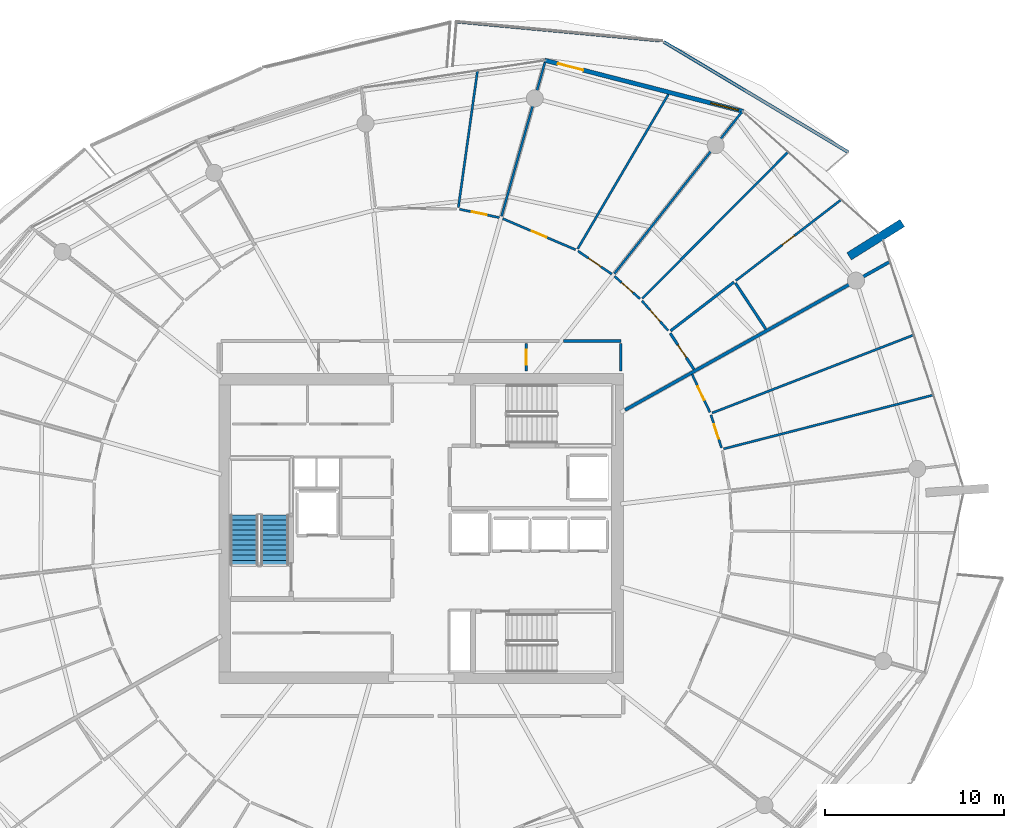
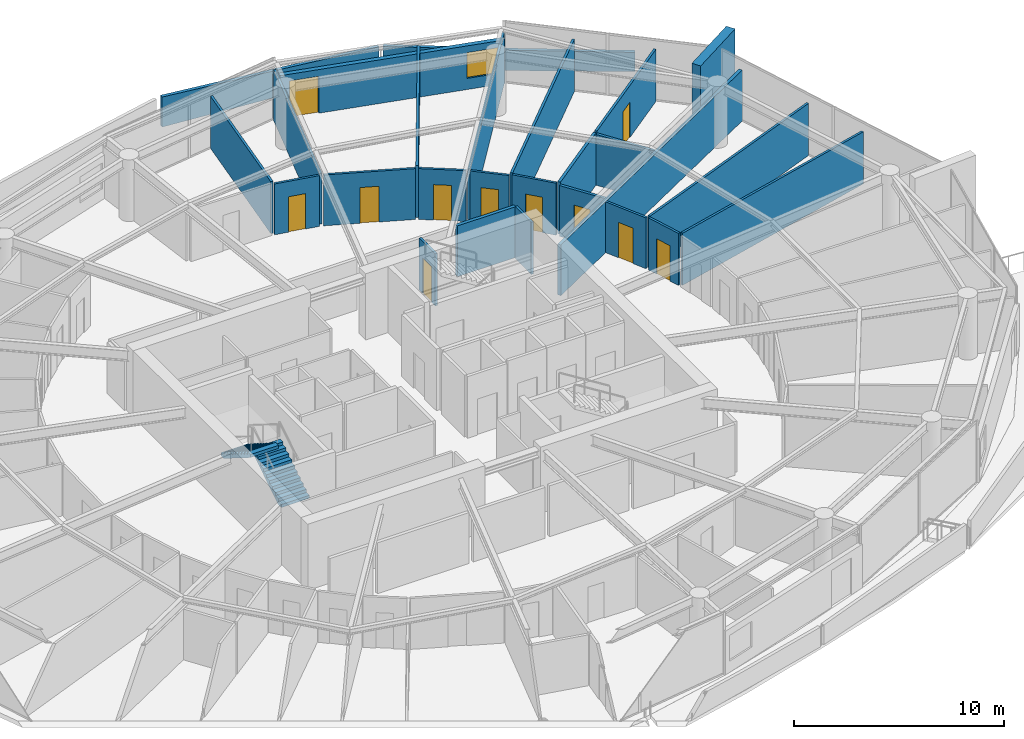
# One storey, part 23 of 31: 26 walls, 11 doors, 2 stair flights, 1 window, 12 openings, 1 element without a shape of its own.
"""IFC4 building model written with IfcOpenShell, lengths in metres."""

from ifc_helpers import new_model, si_unit, direction, frame, frame_2d, origin, place, context, subcontext, project, spatial, polyline, rectangle, outline, extrude, material, layer, layer_set, type_object, element, fill, aggregate, save


model = new_model("IFC4")

# Units and contexts
model_context = context("Model", 3, precision=1e-05, world=origin(), true_north=direction((0.0, 1.0)))
body_context = subcontext(model_context, "Body", "Model", "MODEL_VIEW")
ifc_project = project(units=[si_unit("LENGTHUNIT", "METRE"), si_unit("AREAUNIT", "SQUARE_METRE"), si_unit("VOLUMEUNIT", "CUBIC_METRE"), si_unit("PLANEANGLEUNIT", "RADIAN"), si_unit("MASSUNIT", "GRAM", prefix="KILO")], contexts=[model_context])

# Site, building, storey
site_placement = place(None, origin())
site = spatial("IfcSite", under=ifc_project, at=site_placement, CompositionType="ELEMENT")
building_placement = place(site_placement, origin())
building = spatial("IfcBuilding", under=site, at=building_placement, Name="Kazma Halo Residences", CompositionType="ELEMENT")
storey_placement = place(building_placement, frame((0.0, 0.0, 248.25)))
storey = spatial("IfcBuildingStorey", under=building, at=storey_placement, Name="L62", CompositionType="ELEMENT", Elevation=248.25)

# Walls
ifc_material_1 = material(Name="White Concrete C50/60 Balustrade", Category="concrete")
ifc_layer_1 = layer(ifc_material_1, 0.179931640625)
ifc_layer_set_1 = layer_set([ifc_layer_1], Name="White Concrete C50/60 Balustrade")
wall_type_1 = type_object("IfcWallType", Name="WL-BAL-WAVE-180", PredefinedType="PARAPET", material=ifc_layer_set_1)
wall_1_placement = place(storey_placement, frame((72.251220703125, 62.969970703125, 0.0), z_axis=(0.0, 0.0, 1.0), x_axis=(-0.858273121585, 0.513193188541, 0.0)))
element("IfcWall", 1, at=wall_1_placement, inside=storey, type_object=wall_type_1, Name="L62 white wave balustrade wall NE.1", PredefinedType="PARAPET", context=body_context, shape_type="SweptSolid", body=[
    extrude(outline(polyline([(0.0, 0.0), (11.99560546875, 0.0), (11.995361328125, 1.347900390625), (5.997802734375, 1.181884765625), (0.0, 1.1201171875), (0.0, 0.0)])), frame((0.0, 0.08984375, 0.0), z_axis=(0.0, -1.0, 0.0), x_axis=(1.0, 0.0, 0.0)), (0.0, 0.0, 1.0), 0.179931640625),
])
wall_2_placement = place(storey_placement, frame((61.733154296875, 69.19873046875, 0.0), z_axis=(0.0, 0.0, 1.0), x_axis=(-0.995673621648, 0.092919530532, 0.0)))
element("IfcWall", 2, at=wall_2_placement, inside=storey, type_object=wall_type_1, Name="L62 white wave balustrade wall NE.2", PredefinedType="PARAPET", context=body_context, shape_type="SweptSolid", body=[
    extrude(outline(polyline([(0.0, 0.0), (11.384765625, 0.0), (11.384765625, 1.7470703125), (5.6923828125, 1.56201171875), (0.0, 1.347900390625), (0.0, 0.0)])), frame((0.0, 0.08984375, 0.0), z_axis=(0.0, -1.0, 0.0), x_axis=(1.0, 0.0, 0.0)), (0.0, 0.0, 1.0), 0.179931640625),
])
ifc_material_2 = material(Name="Pale Concrete C60/75", Category="concrete")
ifc_layer_2 = layer(ifc_material_2, 0.47998046875)
ifc_layer_set_2 = layer_set([ifc_layer_2], Name="Pale Concrete C60/75")
wall_type_2 = type_object("IfcWallType", Name="WL-BLADE-480", PredefinedType="SOLIDWALL", material=ifc_layer_set_2)
wall_3_placement = place(storey_placement, frame((72.281494140625, 57.172607421875, 0.0), z_axis=(0.0, 0.0, 1.0), x_axis=(0.848033572426, 0.529942506352, 0.0)))
element("IfcWall", 3, at=wall_3_placement, inside=storey, type_object=wall_type_2, Name="L62 pale concrete structural blade fin wall BW-01", PredefinedType="SOLIDWALL", context=body_context, shape_type="SweptSolid", body=[
    extrude(rectangle(XDim=3.5, YDim=0.47998046875, at=frame_2d((1.75, 0.0))), origin(), (0.0, 0.0, 1.0), 3.85009765625),
])
ifc_material_3 = material(Name="Acoustic Twin-Stud Gypsum")
ifc_layer_3 = layer(ifc_material_3, 0.179931640625)
ifc_layer_set_3 = layer_set([ifc_layer_3], Name="Acoustic Twin-Stud Gypsum")
wall_type_3 = type_object("IfcWallType", Name="WL-DEM-180", PredefinedType="PARTITIONING", material=ifc_layer_set_3)
wall_4_placement = place(storey_placement, frame((59.7958984375, 48.60595703125, 0.0), z_axis=(0.0, 0.0, 1.0), x_axis=(0.872493213488, 0.488626229767, 0.0)))
element("IfcWall", 4, at=wall_4_placement, inside=storey, type_object=wall_type_3, Name="L62 apartment demising radial wall 00", PredefinedType="PARTITIONING", context=body_context, shape_type="SweptSolid", body=[
    extrude(rectangle(XDim=16.91015625, YDim=0.179931640625, at=frame_2d((8.455078125, 0.0))), origin(), (0.0, 0.0, 1.0), 2.95703125),
])
wall_5_placement = place(storey_placement, frame((59.580078125, 52.449951171875, 0.0), z_axis=(0.0, 0.0, 1.0), x_axis=(-1.0, 0.0, 0.0)))
element("IfcWall", 5, at=wall_5_placement, inside=storey, type_object=wall_type_3, Name="L62 Apartment 1 inner wall 0", PredefinedType="PARTITIONING", context=body_context, shape_type="SweptSolid", body=[
    extrude(rectangle(XDim=3.221923828125, YDim=0.179931640625, at=frame_2d((1.61083984375, 0.0))), origin(), (0.0, 0.0, 1.0), 2.95703125),
])

# Wall, openings, door, window
ifc_material_4 = material(Name="Insulated Pale-Metal Composite Wall")
ifc_layer_4 = layer(ifc_material_4, 0.239990234375)
ifc_layer_set_4 = layer_set([ifc_layer_4], Name="Insulated Pale-Metal Composite Wall")
wall_type_4 = type_object("IfcWallType", Name="WL-EXT-HOST-240", PredefinedType="SOLIDWALL", material=ifc_layer_set_4)
wall_6_placement = place(storey_placement, frame((66.386474609375, 65.2490234375, 0.0), z_axis=(0.0, 0.0, 1.0), x_axis=(-0.968343758421, 0.249620442927, 0.0)))
wall_6 = element("IfcWall", 6, at=wall_6_placement, inside=storey, type_object=wall_type_4, Name="L62 exterior terrace-access wall B02", PredefinedType="SOLIDWALL", context=body_context, shape_type="SweptSolid", body=[
    extrude(rectangle(XDim=11.438232421875, YDim=0.239990234375, at=frame_2d((5.71923828125, 0.0))), origin(), (0.0, 0.0, 1.0), 2.5400390625),
])
opening_1_placement = place(wall_6_placement, frame((9.21826171875, 0.0, 0.0)))
opening_1 = element("IfcOpeningElement", 7, at=opening_1_placement, cuts=wall_6, Name="Opening DTR-1600", PredefinedType="OPENING", context=body_context, shape_type="SweptSolid", body=[
    extrude(rectangle(XDim=1.449951171875, YDim=2.14990234375, at=frame_2d((0.72509765625, 1.074951171875))), frame((0.0, 0.1298828125, 0.0), z_axis=(0.0, -1.0, 0.0), x_axis=(1.0, 0.0, 0.0)), (0.0, 0.0, 1.0), 0.260009765625),
])
opening_2_placement = place(wall_6_placement, frame((0.280029296875, 0.0, 0.64990234375)))
opening_2 = element("IfcOpeningElement", 8, at=opening_2_placement, cuts=wall_6, Name="Opening W-1800", PredefinedType="OPENING", context=body_context, shape_type="SweptSolid", body=[
    extrude(rectangle(XDim=1.60009765625, YDim=1.5, at=frame_2d((0.800048828125, 0.75))), frame((0.0, 0.1298828125, 0.0), z_axis=(0.0, -1.0, 0.0), x_axis=(1.0, 0.0, 0.0)), (0.0, 0.0, 1.0), 0.260009765625),
])
ifc_material_5 = material(Name="Aluminium AW-6063 T6 Double-Glazed Terrace Door", Category="aluminium")
door_type_1 = type_object("IfcDoorType", Name="DR-EXT-TERR-1600", OperationType="NOTDEFINED", PredefinedType="DOOR", material=ifc_material_5)
door_1_placement = place(opening_1_placement, origin())
door_1 = element("IfcDoor", 9, at=door_1_placement, inside=storey, type_object=door_type_1, Name="L62 B02 balcony terrace door", OperationType="DOUBLE_DOOR_SLIDING", OverallHeight=2.14990234375, OverallWidth=1.449951171875, PredefinedType="DOOR", context=body_context, shape_type="SweptSolid", body=[
    extrude(rectangle(XDim=1.449951171875, YDim=2.14990234375, at=frame_2d((0.72509765625, 1.074951171875))), frame((0.0, 0.02490234375, 0.0), z_axis=(0.0, -1.0, 0.0), x_axis=(1.0, 0.0, 0.0)), (0.0, 0.0, 1.0), 0.050048828125),
])
fill(opening_1, door_1)
ifc_material_6 = material(Name="Clear Triple-Silver Low-E Glass in Aluminium AW-6063 T6 Frame", Category="aluminium")
window_type = type_object("IfcWindowType", Name="WIN-RES-1800", PartitioningType="DOUBLE_PANEL_VERTICAL", PredefinedType="WINDOW", material=ifc_material_6)
window_placement = place(opening_2_placement, origin())
window = element("IfcWindow", 10, at=window_placement, inside=storey, type_object=window_type, Name="L62 B02 apartment window", OverallHeight=1.5, OverallWidth=1.60009765625, PartitioningType="SINGLE_PANEL", PredefinedType="WINDOW", context=body_context, shape_type="SweptSolid", body=[
    extrude(rectangle(XDim=1.60009765625, YDim=1.5, at=frame_2d((0.800048828125, 0.75))), frame((0.0, 0.030029296875, 0.0), z_axis=(0.0, -1.0, 0.0), x_axis=(1.0, 0.0, 0.0)), (0.0, 0.0, 1.0), 0.06005859375),
])
fill(opening_2, window)

# Wall
ifc_material_7 = material(Name="Gypsum Plasterboard Partition")
ifc_layer_5 = layer(ifc_material_7, 0.125)
ifc_layer_set_5 = layer_set([ifc_layer_5], Name="Gypsum Plasterboard Partition")
wall_type_5 = type_object("IfcWallType", Name="WL-PART-125", PredefinedType="PARTITIONING", material=ifc_layer_set_5)
wall_7_placement = place(storey_placement, frame((59.56005859375, 50.77001953125, 0.0), z_axis=(0.0, 0.0, 1.0), x_axis=(0.0, 1.0, 0.0)))
element("IfcWall", 11, at=wall_7_placement, inside=storey, type_object=wall_type_5, Name="L62 east cupboard end wall", PredefinedType="PARTITIONING", context=body_context, shape_type="SweptSolid", body=[
    extrude(rectangle(XDim=1.5400390625, YDim=0.125, at=frame_2d((0.77001953125, 0.0))), origin(), (0.0, 0.0, 1.0), 3.030029296875),
])

# Wall, opening, door
wall_8_placement = place(storey_placement, frame((54.2900390625, 50.7900390625, 0.0), z_axis=(0.0, 0.0, 1.0), x_axis=(0.0, 1.0, 0.0)))
wall_8 = element("IfcWall", 12, at=wall_8_placement, inside=storey, type_object=wall_type_5, Name="L62 floor metering cupboard door wall", PredefinedType="PARTITIONING", context=body_context, shape_type="SweptSolid", body=[
    extrude(rectangle(XDim=1.52001953125, YDim=0.125, at=frame_2d((0.760009765625, 0.0))), origin(), (0.0, 0.0, 1.0), 3.030029296875),
])
opening_3_placement = place(wall_8_placement, frame((0.3349609375, 0.0, 0.0)))
opening_3 = element("IfcOpeningElement", 13, at=opening_3_placement, cuts=wall_8, Name="Opening DS-850", PredefinedType="OPENING", context=body_context, shape_type="SweptSolid", body=[
    extrude(rectangle(XDim=0.85009765625, YDim=2.06005859375, at=frame_2d((0.425048828125, 1.030029296875))), frame((0.0, 0.072509765625, 0.0), z_axis=(0.0, -1.0, 0.0), x_axis=(1.0, 0.0, 0.0)), (0.0, 0.0, 1.0), 0.14501953125),
])
ifc_material_8 = material(Name="Painted Steel Access Leaf", Category="steel")
door_type_2 = type_object("IfcDoorType", Name="DR-SVC-850", OperationType="NOTDEFINED", PredefinedType="DOOR", material=ifc_material_8)
door_2_placement = place(opening_3_placement, origin())
door_2 = element("IfcDoor", 14, at=door_2_placement, inside=storey, type_object=door_type_2, Name="L62 floor cupboard door", OperationType="SINGLE_SWING_RIGHT", OverallHeight=2.06005859375, OverallWidth=0.85009765625, PredefinedType="DOOR", context=body_context, shape_type="SweptSolid", body=[
    extrude(rectangle(XDim=0.85009765625, YDim=2.06005859375, at=frame_2d((0.425048828125, 1.030029296875))), frame((0.0, 0.02490234375, 0.0), z_axis=(0.0, -1.0, 0.0), x_axis=(1.0, 0.0, 0.0)), (0.0, 0.0, 1.0), 0.050048828125),
])
fill(opening_3, door_2)

wall_9_placement = place(storey_placement, frame((65.97021484375, 55.815185546875, 0.0), z_axis=(0.0, 0.0, 1.0), x_axis=(0.792798660545, 0.609483620647, 0.0)))
wall_9 = element("IfcWall", 15, at=wall_9_placement, inside=storey, type_object=wall_type_5, Name="L62 Apartment 1 Household Store Room partition wall", PredefinedType="PARTITIONING", context=body_context, shape_type="SweptSolid", body=[
    extrude(rectangle(XDim=7.376953125, YDim=0.125, at=frame_2d((3.6884765625, 0.0))), origin(), (0.0, 0.0, 1.0), 3.030029296875),
])
opening_4_placement = place(wall_9_placement, frame((3.263427734375, 0.0, 0.0)))
opening_4 = element("IfcOpeningElement", 16, at=opening_4_placement, cuts=wall_9, Name="Opening DB-900", PredefinedType="OPENING", context=body_context, shape_type="SweptSolid", body=[
    extrude(rectangle(XDim=0.85009765625, YDim=2.06005859375, at=frame_2d((0.425048828125, 1.030029296875))), frame((0.0, 0.072509765625, 0.0), z_axis=(0.0, -1.0, 0.0), x_axis=(1.0, 0.0, 0.0)), (0.0, 0.0, 1.0), 0.14501953125),
])
ifc_material_9 = material(Name="Moisture-Sealed Timber Leaf", Category="wood")
door_type_3 = type_object("IfcDoorType", Name="DR-BTH-900", OperationType="NOTDEFINED", PredefinedType="DOOR", material=ifc_material_9)
door_3_placement = place(opening_4_placement, origin())
door_3 = element("IfcDoor", 17, at=door_3_placement, inside=storey, type_object=door_type_3, Name="L62 Apartment 1 Household Store Room door", OperationType="SINGLE_SWING_RIGHT", OverallHeight=2.06005859375, OverallWidth=0.85009765625, PredefinedType="DOOR", context=body_context, shape_type="SweptSolid", body=[
    extrude(rectangle(XDim=0.85009765625, YDim=2.06005859375, at=frame_2d((0.425048828125, 1.030029296875))), frame((0.0, 0.02490234375, 0.0), z_axis=(0.0, -1.0, 0.0), x_axis=(1.0, 0.0, 0.0)), (0.0, 0.0, 1.0), 0.050048828125),
])
fill(opening_4, door_3)

# Wall
wall_10_placement = place(storey_placement, frame((60.749267578125, 54.8154296875, 0.0), z_axis=(0.0, 0.0, 1.0), x_axis=(0.705267705861, 0.708941085753, 0.0)))
element("IfcWall", 18, at=wall_10_placement, inside=storey, type_object=wall_type_5, Name="L62 Apartment 1 suite divider 0", PredefinedType="PARTITIONING", context=body_context, shape_type="SweptSolid", body=[
    extrude(rectangle(XDim=11.498046875, YDim=0.125, at=frame_2d((5.7490234375, 0.0))), origin(), (0.0, 0.0, 1.0), 3.030029296875),
])

# Wall, opening, door
wall_11_placement = place(storey_placement, frame((62.200439453125, 53.030517578125, 0.0), z_axis=(0.0, 0.0, 1.0), x_axis=(-0.660650282497, 0.750693815238, 0.0)))
wall_11 = element("IfcWall", 19, at=wall_11_placement, inside=storey, type_object=wall_type_5, Name="L62 Apartment 1 Gourmet Kitchen hall wall", PredefinedType="PARTITIONING", context=body_context, shape_type="SweptSolid", body=[
    extrude(rectangle(XDim=2.21240234375, YDim=0.125, at=frame_2d((1.106201171875, 0.0))), origin(), (0.0, 0.0, 1.0), 3.030029296875),
])
opening_5_placement = place(wall_11_placement, frame((0.681396484375, 0.0, 0.0)))
opening_5 = element("IfcOpeningElement", 20, at=opening_5_placement, cuts=wall_11, Name="Opening DB-900", PredefinedType="OPENING", context=body_context, shape_type="SweptSolid", body=[
    extrude(rectangle(XDim=0.85009765625, YDim=2.06005859375, at=frame_2d((0.425048828125, 1.030029296875))), frame((0.0, 0.072509765625, 0.0), z_axis=(0.0, -1.0, 0.0), x_axis=(1.0, 0.0, 0.0)), (0.0, 0.0, 1.0), 0.14501953125),
])
door_4_placement = place(opening_5_placement, origin())
door_4 = element("IfcDoor", 21, at=door_4_placement, inside=storey, type_object=door_type_3, Name="L62 Apartment 1 Gourmet Kitchen door", OperationType="SINGLE_SWING_LEFT", OverallHeight=2.06005859375, OverallWidth=0.85009765625, PredefinedType="DOOR", context=body_context, shape_type="SweptSolid", body=[
    extrude(rectangle(XDim=0.85009765625, YDim=2.06005859375, at=frame_2d((0.425048828125, 1.030029296875))), frame((0.0, 0.02490234375, 0.0), z_axis=(0.0, -1.0, 0.0), x_axis=(1.0, 0.0, 0.0)), (0.0, 0.0, 1.0), 0.050048828125),
])
fill(opening_5, door_4)

wall_12_placement = place(storey_placement, frame((60.6259765625, 54.8046875, 0.0), z_axis=(0.0, 0.0, 1.0), x_axis=(-0.748419746602, 0.663225363581, 0.0)))
wall_12 = element("IfcWall", 22, at=wall_12_placement, inside=storey, type_object=wall_type_5, Name="L62 Apartment 1 Primary Bedroom hall wall", PredefinedType="PARTITIONING", context=body_context, shape_type="SweptSolid", body=[
    extrude(rectangle(XDim=1.891357421875, YDim=0.125, at=frame_2d((0.94580078125, 0.0))), origin(), (0.0, 0.0, 1.0), 2.95703125),
])
opening_6_placement = place(wall_12_placement, frame((0.520751953125, 0.0, 0.0)))
opening_6 = element("IfcOpeningElement", 23, at=opening_6_placement, cuts=wall_12, Name="Opening DB-900", PredefinedType="OPENING", context=body_context, shape_type="SweptSolid", body=[
    extrude(rectangle(XDim=0.85009765625, YDim=2.06005859375, at=frame_2d((0.425048828125, 1.030029296875))), frame((0.0, 0.072509765625, 0.0), z_axis=(0.0, -1.0, 0.0), x_axis=(1.0, 0.0, 0.0)), (0.0, 0.0, 1.0), 0.14501953125),
])
door_5_placement = place(opening_6_placement, origin())
door_5 = element("IfcDoor", 24, at=door_5_placement, inside=storey, type_object=door_type_3, Name="L62 Apartment 1 Primary Bedroom door", OperationType="SINGLE_SWING_RIGHT", OverallHeight=2.06005859375, OverallWidth=0.85009765625, PredefinedType="DOOR", context=body_context, shape_type="SweptSolid", body=[
    extrude(rectangle(XDim=0.85009765625, YDim=2.06005859375, at=frame_2d((0.425048828125, 1.030029296875))), frame((0.0, 0.02490234375, 0.0), z_axis=(0.0, -1.0, 0.0), x_axis=(1.0, 0.0, 0.0)), (0.0, 0.0, 1.0), 0.050048828125),
])
fill(opening_6, door_5)

# Walls
wall_13_placement = place(storey_placement, frame((59.197509765625, 56.2041015625, 0.0), z_axis=(0.0, 0.0, 1.0), x_axis=(0.619101452742, 0.785311015593, 0.0)))
element("IfcWall", 25, at=wall_13_placement, inside=storey, type_object=wall_type_5, Name="L62 Apartment 1 radial partition 1", PredefinedType="PARTITIONING", context=body_context, shape_type="SweptSolid", body=[
    extrude(rectangle(XDim=11.508544921875, YDim=0.125, at=frame_2d((5.75439453125, 0.0))), origin(), (0.0, 0.0, 1.0), 2.95703125),
])
wall_14_placement = place(storey_placement, frame((57.153076171875, 57.58837890625, 0.0), z_axis=(0.0, 0.0, 1.0), x_axis=(0.506323477253, 0.862343630105, 0.0)))
element("IfcWall", 26, at=wall_14_placement, inside=storey, type_object=wall_type_5, Name="L62 Apartment 1 mid-bay wall 1", PredefinedType="PARTITIONING", context=body_context, shape_type="SweptSolid", body=[
    extrude(rectangle(XDim=9.988037109375, YDim=0.125, at=frame_2d((4.994140625, 0.0))), origin(), (0.0, 0.0, 1.0), 3.030029296875),
])

# Wall, opening, door
wall_15_placement = place(storey_placement, frame((59.052978515625, 56.181884765625, 0.0), z_axis=(0.0, 0.0, 1.0), x_axis=(-0.825709590898, 0.56409544538, 0.0)))
wall_15 = element("IfcWall", 27, at=wall_15_placement, inside=storey, type_object=wall_type_5, Name="L62 Apartment 1 East Wine Pantry Store hall wall", PredefinedType="PARTITIONING", context=body_context, shape_type="SweptSolid", body=[
    extrude(rectangle(XDim=2.276123046875, YDim=0.125, at=frame_2d((1.13818359375, 0.0))), origin(), (0.0, 0.0, 1.0), 2.95703125),
])
opening_7_placement = place(wall_15_placement, frame((0.713134765625, 0.0, 0.0)))
opening_7 = element("IfcOpeningElement", 28, at=opening_7_placement, cuts=wall_15, Name="Opening DB-900", PredefinedType="OPENING", context=body_context, shape_type="SweptSolid", body=[
    extrude(rectangle(XDim=0.85009765625, YDim=2.06005859375, at=frame_2d((0.425048828125, 1.030029296875))), frame((0.0, 0.072509765625, 0.0), z_axis=(0.0, -1.0, 0.0), x_axis=(1.0, 0.0, 0.0)), (0.0, 0.0, 1.0), 0.14501953125),
])
door_6_placement = place(opening_7_placement, origin())
door_6 = element("IfcDoor", 29, at=door_6_placement, inside=storey, type_object=door_type_3, Name="L62 Apartment 1 East Wine Pantry Store door", OperationType="SINGLE_SWING_RIGHT", OverallHeight=2.06005859375, OverallWidth=0.85009765625, PredefinedType="DOOR", context=body_context, shape_type="SweptSolid", body=[
    extrude(rectangle(XDim=0.85009765625, YDim=2.06005859375, at=frame_2d((0.425048828125, 1.030029296875))), frame((0.0, 0.02490234375, 0.0), z_axis=(0.0, -1.0, 0.0), x_axis=(1.0, 0.0, 0.0)), (0.0, 0.0, 1.0), 0.050048828125),
])
fill(opening_7, door_6)

wall_16_placement = place(storey_placement, frame((57.03369140625, 57.542236328125, 0.0), z_axis=(0.0, 0.0, 1.0), x_axis=(-0.919921628857, 0.392102278445, 0.0)))
wall_16 = element("IfcWall", 30, at=wall_16_placement, inside=storey, type_object=wall_type_5, Name="L62 Apartment 1 West Formal Dining Room hall wall", PredefinedType="PARTITIONING", context=body_context, shape_type="SweptSolid", body=[
    extrude(rectangle(XDim=4.41259765625, YDim=0.125, at=frame_2d((2.206298828125, 0.0))), origin(), (0.0, 0.0, 1.0), 2.95703125),
])
opening_8_placement = place(wall_16_placement, frame((1.75634765625, 0.0, 0.0)))
opening_8 = element("IfcOpeningElement", 31, at=opening_8_placement, cuts=wall_16, Name="Opening DI-950", PredefinedType="OPENING", context=body_context, shape_type="SweptSolid", body=[
    extrude(rectangle(XDim=0.89990234375, YDim=2.080078125, at=frame_2d((0.449951171875, 1.0400390625))), frame((0.0, 0.072509765625, 0.0), z_axis=(0.0, -1.0, 0.0), x_axis=(1.0, 0.0, 0.0)), (0.0, 0.0, 1.0), 0.14501953125),
])
ifc_material_10 = material(Name="Timber Veneer Flush Leaf", Category="wood")
door_type_4 = type_object("IfcDoorType", Name="DR-INT-950", OperationType="NOTDEFINED", PredefinedType="DOOR", material=ifc_material_10)
door_7_placement = place(opening_8_placement, origin())
door_7 = element("IfcDoor", 32, at=door_7_placement, inside=storey, type_object=door_type_4, Name="L62 Apartment 1 West Formal Dining Room door", OperationType="SINGLE_SWING_LEFT", OverallHeight=2.080078125, OverallWidth=0.89990234375, PredefinedType="DOOR", context=body_context, shape_type="SweptSolid", body=[
    extrude(rectangle(XDim=0.89990234375, YDim=2.080078125, at=frame_2d((0.449951171875, 1.0400390625))), frame((0.0, 0.02490234375, 0.0), z_axis=(0.0, -1.0, 0.0), x_axis=(1.0, 0.0, 0.0)), (0.0, 0.0, 1.0), 0.050048828125),
])
fill(opening_8, door_7)

# Walls
wall_17_placement = place(storey_placement, frame((52.909423828125, 59.407958984375, 0.0), z_axis=(0.0, 0.0, 1.0), x_axis=(0.271454299549, 0.962451330331, 0.0)))
element("IfcWall", 33, at=wall_17_placement, inside=storey, type_object=wall_type_5, Name="L62 Apartment 1 radial partition 2", PredefinedType="PARTITIONING", context=body_context, shape_type="SweptSolid", body=[
    extrude(rectangle(XDim=8.8974609375, YDim=0.125, at=frame_2d((4.44873046875, 0.0))), origin(), (0.0, 0.0, 1.0), 2.95703125),
])
wall_18_placement = place(storey_placement, frame((50.5048828125, 59.902587890625, 0.0), z_axis=(0.0, 0.0, 1.0), x_axis=(0.138550424847, 0.990355380545, 0.0)))
element("IfcWall", 34, at=wall_18_placement, inside=storey, type_object=wall_type_5, Name="L62 Apartment 1 mid-bay wall 2", PredefinedType="PARTITIONING", context=body_context, shape_type="SweptSolid", body=[
    extrude(rectangle(XDim=7.668701171875, YDim=0.125, at=frame_2d((3.83447265625, 0.0))), origin(), (0.0, 0.0, 1.0), 3.030029296875),
])

# Wall, opening, door
wall_19_placement = place(storey_placement, frame((52.784423828125, 59.332275390625, 0.0), z_axis=(0.0, 0.0, 1.0), x_axis=(-0.978655016217, 0.205509997891, 0.0)))
wall_19 = element("IfcWall", 35, at=wall_19_placement, inside=storey, type_object=wall_type_5, Name="L62 Apartment 1 North Dressing Wardrobe hall wall", PredefinedType="PARTITIONING", context=body_context, shape_type="SweptSolid", body=[
    extrude(rectangle(XDim=2.261962890625, YDim=0.125, at=frame_2d((1.130859375, 0.0))), origin(), (0.0, 0.0, 1.0), 2.95703125),
])
opening_9_placement = place(wall_19_placement, frame((0.7060546875, 0.0, 0.0)))
opening_9 = element("IfcOpeningElement", 36, at=opening_9_placement, cuts=wall_19, Name="Opening DB-900", PredefinedType="OPENING", context=body_context, shape_type="SweptSolid", body=[
    extrude(rectangle(XDim=0.85009765625, YDim=2.06005859375, at=frame_2d((0.425048828125, 1.030029296875))), frame((0.0, 0.072509765625, 0.0), z_axis=(0.0, -1.0, 0.0), x_axis=(1.0, 0.0, 0.0)), (0.0, 0.0, 1.0), 0.14501953125),
])
door_8_placement = place(opening_9_placement, origin())
door_8 = element("IfcDoor", 37, at=door_8_placement, inside=storey, type_object=door_type_3, Name="L62 Apartment 1 North Dressing Wardrobe door", OperationType="SINGLE_SWING_LEFT", OverallHeight=2.06005859375, OverallWidth=0.85009765625, PredefinedType="DOOR", context=body_context, shape_type="SweptSolid", body=[
    extrude(rectangle(XDim=0.85009765625, YDim=2.06005859375, at=frame_2d((0.425048828125, 1.030029296875))), frame((0.0, 0.02490234375, 0.0), z_axis=(0.0, -1.0, 0.0), x_axis=(1.0, 0.0, 0.0)), (0.0, 0.0, 1.0), 0.050048828125),
])
fill(opening_9, door_8)

# Walls
wall_20_placement = place(storey_placement, frame((65.286376953125, 46.4384765625, 0.0), z_axis=(0.0, 0.0, 1.0), x_axis=(0.968583991447, 0.248686653265, 0.0)))
element("IfcWall", 38, at=wall_20_placement, inside=storey, type_object=wall_type_5, Name="L62 Apartment 2 bay wall 1 15", PredefinedType="PARTITIONING", context=body_context, shape_type="SweptSolid", body=[
    extrude(rectangle(XDim=12.056396484375, YDim=0.125, at=frame_2d((6.0283203125, 0.0))), origin(), (0.0, 0.0, 1.0), 3.030029296875),
])
wall_21_placement = place(storey_placement, frame((64.644775390625, 48.439453125, 0.0), z_axis=(0.0, 0.0, 1.0), x_axis=(0.93263897003, 0.360810963778, 0.0)))
element("IfcWall", 39, at=wall_21_placement, inside=storey, type_object=wall_type_5, Name="L62 Apartment 2 bay wall 2 15", PredefinedType="PARTITIONING", context=body_context, shape_type="SweptSolid", body=[
    extrude(rectangle(XDim=12.04296875, YDim=0.125, at=frame_2d((6.021484375, 0.0))), origin(), (0.0, 0.0, 1.0), 3.030029296875),
])

# Wall, opening, door
wall_22_placement = place(storey_placement, frame((65.1748046875, 46.4921875, 0.0), z_axis=(0.0, 0.0, 1.0), x_axis=(-0.305358332679, 0.952237516938, 0.0)))
wall_22 = element("IfcWall", 40, at=wall_22_placement, inside=storey, type_object=wall_type_5, Name="L62 Apartment 2 West Dressing Wardrobe hall wall", PredefinedType="PARTITIONING", context=body_context, shape_type="SweptSolid", body=[
    extrude(rectangle(XDim=1.930908203125, YDim=0.125, at=frame_2d((0.96533203125, 0.0))), origin(), (0.0, 0.0, 1.0), 3.030029296875),
])
opening_10_placement = place(wall_22_placement, frame((0.540283203125, 0.0, 0.0)))
opening_10 = element("IfcOpeningElement", 41, at=opening_10_placement, cuts=wall_22, Name="Opening DB-900", PredefinedType="OPENING", context=body_context, shape_type="SweptSolid", body=[
    extrude(rectangle(XDim=0.85009765625, YDim=2.06005859375, at=frame_2d((0.425048828125, 1.030029296875))), frame((0.0, 0.072509765625, 0.0), z_axis=(0.0, -1.0, 0.0), x_axis=(1.0, 0.0, 0.0)), (0.0, 0.0, 1.0), 0.14501953125),
])
door_9_placement = place(opening_10_placement, origin())
door_9 = element("IfcDoor", 42, at=door_9_placement, inside=storey, type_object=door_type_3, Name="L62 Apartment 2 West Dressing Wardrobe door", OperationType="SINGLE_SWING_RIGHT", OverallHeight=2.06005859375, OverallWidth=0.85009765625, PredefinedType="DOOR", context=body_context, shape_type="SweptSolid", body=[
    extrude(rectangle(XDim=0.85009765625, YDim=2.06005859375, at=frame_2d((0.425048828125, 1.030029296875))), frame((0.0, 0.02490234375, 0.0), z_axis=(0.0, -1.0, 0.0), x_axis=(1.0, 0.0, 0.0)), (0.0, 0.0, 1.0), 0.050048828125),
])
fill(opening_10, door_9)

wall_23_placement = place(storey_placement, frame((64.52685546875, 48.479248046875, 0.0), z_axis=(0.0, 0.0, 1.0), x_axis=(-0.425751972865, 0.904839907167, 0.0)))
wall_23 = element("IfcWall", 43, at=wall_23_placement, inside=storey, type_object=wall_type_5, Name="L62 Apartment 2 North Master Bedroom hall wall", PredefinedType="PARTITIONING", context=body_context, shape_type="SweptSolid", body=[
    extrude(rectangle(XDim=2.34814453125, YDim=0.125, at=frame_2d((1.174072265625, 0.0))), origin(), (0.0, 0.0, 1.0), 2.95703125),
])
opening_11_placement = place(wall_23_placement, frame((0.7490234375, 0.0, 0.0)))
opening_11 = element("IfcOpeningElement", 44, at=opening_11_placement, cuts=wall_23, Name="Opening DB-900", PredefinedType="OPENING", context=body_context, shape_type="SweptSolid", body=[
    extrude(rectangle(XDim=0.85009765625, YDim=2.06005859375, at=frame_2d((0.425048828125, 1.030029296875))), frame((0.0, 0.072509765625, 0.0), z_axis=(0.0, -1.0, 0.0), x_axis=(1.0, 0.0, 0.0)), (0.0, 0.0, 1.0), 0.14501953125),
])
door_10_placement = place(opening_11_placement, origin())
door_10 = element("IfcDoor", 45, at=door_10_placement, inside=storey, type_object=door_type_3, Name="L62 Apartment 2 North Master Bedroom door", OperationType="SINGLE_SWING_LEFT", OverallHeight=2.06005859375, OverallWidth=0.85009765625, PredefinedType="DOOR", context=body_context, shape_type="SweptSolid", body=[
    extrude(rectangle(XDim=0.85009765625, YDim=2.06005859375, at=frame_2d((0.425048828125, 1.030029296875))), frame((0.0, 0.02490234375, 0.0), z_axis=(0.0, -1.0, 0.0), x_axis=(1.0, 0.0, 0.0)), (0.0, 0.0, 1.0), 0.050048828125),
])
fill(opening_11, door_10)

ifc_material_11 = material(Name="Moisture-Resistant Gypsum")
ifc_layer_6 = layer(ifc_material_11, 0.14990234375)
ifc_layer_set_6 = layer_set([ifc_layer_6], Name="Moisture-Resistant Gypsum")
wall_type_6 = type_object("IfcWallType", Name="WL-WET-150", PredefinedType="PARTITIONING", material=ifc_layer_set_6)
wall_24_placement = place(storey_placement, frame((63.638671875, 50.872314453125, 0.0), z_axis=(0.0, 0.0, 1.0), x_axis=(-0.550539267926, 0.834809268319, 0.0)))
wall_24 = element("IfcWall", 46, at=wall_24_placement, inside=storey, type_object=wall_type_6, Name="L62 Apartment 1 Guest Bathroom hall wall", PredefinedType="PARTITIONING", context=body_context, shape_type="SweptSolid", body=[
    extrude(rectangle(XDim=2.4140625, YDim=0.14990234375, at=frame_2d((1.20703125, 0.0))), origin(), (0.0, 0.0, 1.0), 2.95703125),
])
opening_12_placement = place(wall_24_placement, frame((0.781982421875, 0.0, 0.0)))
opening_12 = element("IfcOpeningElement", 47, at=opening_12_placement, cuts=wall_24, Name="Opening DB-900", PredefinedType="OPENING", context=body_context, shape_type="SweptSolid", body=[
    extrude(rectangle(XDim=0.85009765625, YDim=2.06005859375, at=frame_2d((0.425048828125, 1.030029296875))), frame((0.0, 0.0849609375, 0.0), z_axis=(0.0, -1.0, 0.0), x_axis=(1.0, 0.0, 0.0)), (0.0, 0.0, 1.0), 0.169921875),
])
door_11_placement = place(opening_12_placement, origin())
door_11 = element("IfcDoor", 48, at=door_11_placement, inside=storey, type_object=door_type_3, Name="L62 Apartment 1 Guest Bathroom door", OperationType="SINGLE_SWING_LEFT", OverallHeight=2.06005859375, OverallWidth=0.85009765625, PredefinedType="DOOR", context=body_context, shape_type="SweptSolid", body=[
    extrude(rectangle(XDim=0.85009765625, YDim=2.06005859375, at=frame_2d((0.425048828125, 1.030029296875))), frame((0.0, 0.02490234375, 0.0), z_axis=(0.0, -1.0, 0.0), x_axis=(1.0, 0.0, 0.0)), (0.0, 0.0, 1.0), 0.050048828125),
])
fill(opening_12, door_11)

# Walls
wall_25_placement = place(storey_placement, frame((67.643310546875, 53.114990234375, 0.0), z_axis=(0.0, 0.0, 1.0), x_axis=(-0.550484224605, 0.834845565635, 0.0)))
element("IfcWall", 49, at=wall_25_placement, inside=storey, type_object=wall_type_6, Name="L62 Apartment 1 Guest Bathroom back wall", PredefinedType="PARTITIONING", context=body_context, shape_type="SweptSolid", body=[
    extrude(rectangle(XDim=3.078857421875, YDim=0.14990234375, at=frame_2d((1.53955078125, 0.0))), origin(), (0.0, 0.0, 1.0), 2.95703125),
])
wall_26_placement = place(storey_placement, frame((62.331298828125, 53.017822265625, 0.0), z_axis=(0.0, 0.0, 1.0), x_axis=(0.792803030826, 0.609477935871, 0.0)))
element("IfcWall", 50, at=wall_26_placement, inside=storey, type_object=wall_type_6, Name="L62 Apartment 1 Guest Bathroom side wall", PredefinedType="PARTITIONING", context=body_context, shape_type="SweptSolid", body=[
    extrude(rectangle(XDim=4.4599609375, YDim=0.14990234375, at=frame_2d((2.22998046875, 0.0))), origin(), (0.0, 0.0, 1.0), 3.030029296875),
])

# Stair, stair flights
ifc_material_12 = material(Name="Concrete C50/60", Category="concrete")
stair_type = type_object("IfcStairType", Name="STR-RES2", PredefinedType="HALF_TURN_STAIR", material=ifc_material_12)
stair_placement = place(storey_placement, origin())
stair = element("IfcStair", 51, at=stair_placement, inside=storey, type_object=stair_type, Name="L62 Core exit stair ST-01", PredefinedType="HALF_TURN_STAIR")
stair_flight_type = type_object("IfcStairFlightType", Name="STR-RES2-FLT", PredefinedType="STRAIGHT", material=ifc_material_12)
stair_flight_1_placement = place(storey_placement, frame((40.27490234375, 39.949951171875, 0.0), z_axis=(0.0, 0.0, 1.0), x_axis=(0.0, 1.0, 0.0)))
stair_flight_1 = element("IfcStairFlight", 52, at=stair_flight_1_placement, type_object=stair_flight_type, Name="ST-01 flight 1", NumberOfRisers=11, NumberOfTreads=10, PredefinedType="STRAIGHT", RiserHeight=0.175, TreadLength=0.28, context=body_context, shape_type="SweptSolid", body=[
    extrude(outline(polyline([(0.0, 0.0), (0.0, 0.175048828125), (0.280029296875, 0.175048828125), (0.280029296875, 0.35009765625), (0.56005859375, 0.35009765625), (0.56005859375, 0.52490234375), (0.840087890625, 0.52490234375), (0.840087890625, 0.699951171875), (1.1201171875, 0.699951171875), (1.1201171875, 0.875), (1.39990234375, 0.875), (1.39990234375, 1.050048828125), (1.679931640625, 1.050048828125), (1.679931640625, 1.22509765625), (1.9599609375, 1.22509765625), (1.9599609375, 1.39990234375), (2.239990234375, 1.39990234375), (2.239990234375, 1.574951171875), (2.52001953125, 1.574951171875), (2.52001953125, 1.75), (2.800048828125, 1.75), (2.800048828125, 1.925048828125), (2.800048828125, 1.5732421875), (0.28271484375, 0.0), (0.0, 0.0)])), frame((0.0, 0.77490234375, 0.0), z_axis=(0.0, -1.0, 0.0), x_axis=(1.0, 0.0, 0.0)), (0.0, 0.0, 1.0), 1.550048828125),
])
stair_flight_2_placement = place(storey_placement, frame((38.574951171875, 42.75, 1.925048828125), z_axis=(0.0, 0.0, 1.0), x_axis=(0.0, -1.0, 0.0)))
stair_flight_2 = element("IfcStairFlight", 53, at=stair_flight_2_placement, type_object=stair_flight_type, Name="ST-01 flight 2", NumberOfRisers=11, NumberOfTreads=10, PredefinedType="STRAIGHT", RiserHeight=0.175, TreadLength=0.28, context=body_context, shape_type="SweptSolid", body=[
    extrude(outline(polyline([(0.0, 0.0), (0.0, 0.175048828125), (0.280029296875, 0.175048828125), (0.280029296875, 0.35009765625), (0.56005859375, 0.35009765625), (0.56005859375, 0.52490234375), (0.840087890625, 0.52490234375), (0.840087890625, 0.699951171875), (1.1201171875, 0.699951171875), (1.1201171875, 0.875), (1.39990234375, 0.875), (1.39990234375, 1.050048828125), (1.679931640625, 1.050048828125), (1.679931640625, 1.22509765625), (1.9599609375, 1.22509765625), (1.9599609375, 1.39990234375), (2.239990234375, 1.39990234375), (2.239990234375, 1.574951171875), (2.52001953125, 1.574951171875), (2.52001953125, 1.75), (2.800048828125, 1.75), (2.800048828125, 1.925048828125), (2.800048828125, 1.5732421875), (0.28271484375, 0.0), (0.0, 0.0)])), frame((0.0, 0.77490234375, 0.0), z_axis=(0.0, -1.0, 0.0), x_axis=(1.0, 0.0, 0.0)), (0.0, 0.0, 1.0), 1.550048828125),
])
aggregate(stair, [stair_flight_1, stair_flight_2])

save(model, "model.ifc")
